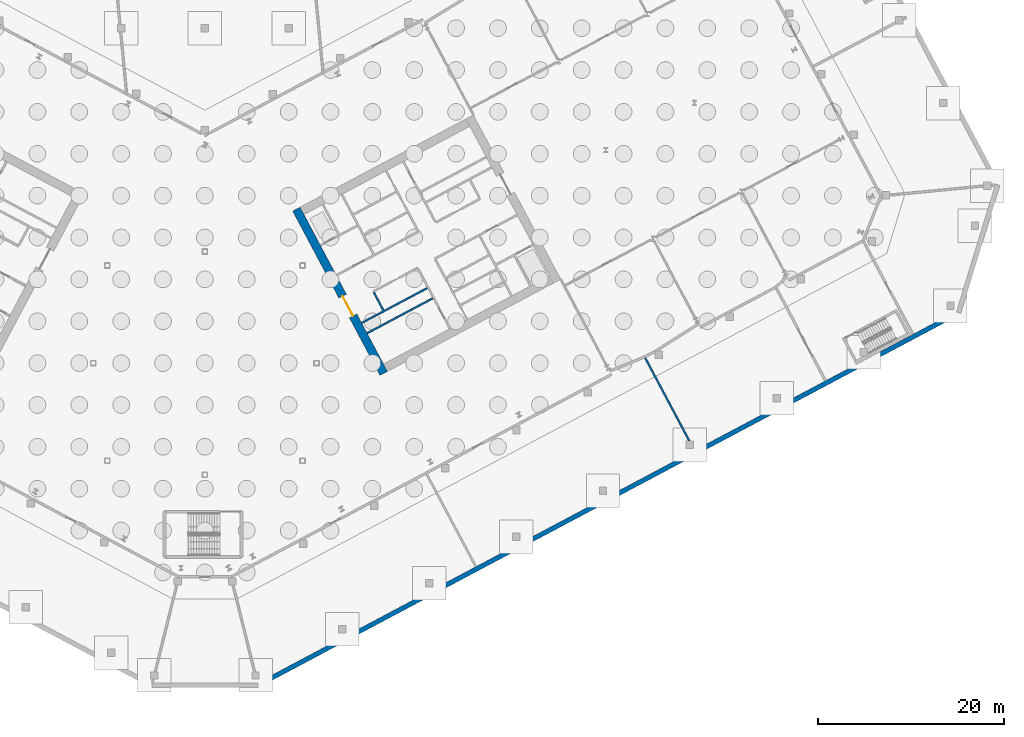
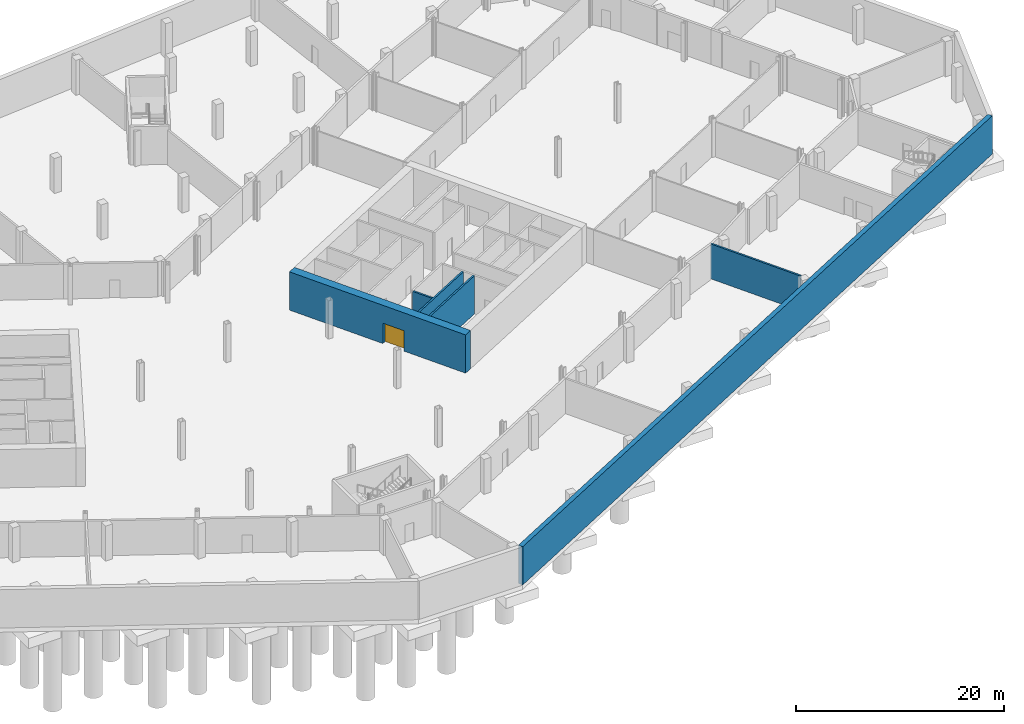
# One storey, part 13 of 29: 6 walls, 1 door, 1 opening.
"""IFC4 building model written with IfcOpenShell, lengths in metres."""

from ifc_helpers import new_model, si_unit, direction, frame, frame_2d, origin, place, context, subcontext, project, spatial, rectangle, extrude, material, layer, layer_set, type_object, element, fill, save


model = new_model("IFC4")

# Units and contexts
model_context = context("Model", 3, precision=1e-05, world=origin(), true_north=direction((0.0, 1.0)))
body_context = subcontext(model_context, "Body", "Model", "MODEL_VIEW")
ifc_project = project(units=[si_unit("LENGTHUNIT", "METRE"), si_unit("AREAUNIT", "SQUARE_METRE"), si_unit("VOLUMEUNIT", "CUBIC_METRE"), si_unit("PLANEANGLEUNIT", "RADIAN"), si_unit("MASSUNIT", "GRAM", prefix="KILO")], contexts=[model_context])

# Site, building, storey
site_placement = place(None, origin())
site = spatial("IfcSite", under=ifc_project, at=site_placement, CompositionType="ELEMENT")
building_placement = place(site_placement, origin())
building = spatial("IfcBuilding", under=site, at=building_placement, Name="Cormorant Relay Tower", CompositionType="ELEMENT")
storey_placement = place(building_placement, frame((0.0, 0.0, -9.0)))
storey = spatial("IfcBuildingStorey", under=building, at=storey_placement, Name="B2", CompositionType="ELEMENT", Elevation=-9.0)

# Walls
ifc_material_1 = material(Name="Concrete 50 MPa", Category="concrete")
ifc_layer_1 = layer(ifc_material_1, 0.199951171875)
ifc_layer_set_1 = layer_set([ifc_layer_1], Name="Core shaft wall 200")
wall_type_1 = type_object("IfcWallType", Name="Core shaft wall 200", PredefinedType="SHEAR", material=ifc_layer_set_1)
wall_1_placement = place(storey_placement, frame((19.18359375, 5.669921875, 0.0), z_axis=(0.0, 0.0, 1.0), x_axis=(-0.4694473164, 0.882960484464, 0.0)))
element("IfcWall", 1, at=wall_1_placement, inside=storey, type_object=wall_type_1, Name="B2 core B shaft wall", PredefinedType="SHEAR", context=body_context, shape_type="SweptSolid", body=[
    extrude(rectangle(XDim=2.199951171875, YDim=0.199951171875, at=frame_2d((1.10009765625, 0.0))), origin(), (0.0, 0.0, 1.0), 4.5),
])
for number, where, z_axis, x_axis, name in (
    (2, (17.43359375, 3.210205078125, 0.0), (0.0, 0.0, 1.0), (0.882940221191, 0.469485426614, 0.0), "B2 core B shaft wall"),
    (3, (16.8466796875, 4.31396484375, 0.0), (0.0, 0.0, 1.0), (0.882940221191, 0.469485426614, 0.0), "B2 core B shaft wall"),
):
    element("IfcWall", number, at=place(storey_placement, frame(where, z_axis=z_axis, x_axis=x_axis)), inside=storey, type_object=wall_type_1, Name=name, PredefinedType="SHEAR", context=body_context, shape_type="SweptSolid", body=[
        extrude(rectangle(XDim=8.0, YDim=0.199951171875, at=frame_2d((4.0, 0.0))), origin(), (0.0, 0.0, 1.0), 4.5),
    ])

# Wall, opening, door
ifc_material_2 = material(Name="Concrete 70 MPa", Category="concrete")
ifc_layer_2 = layer(ifc_material_2, 0.89990234375)
ifc_layer_set_2 = layer_set([ifc_layer_2], Name="Core wall 900")
wall_type_2 = type_object("IfcWallType", Name="Core wall 900", PredefinedType="SHEAR", material=ifc_layer_set_2)
wall_2_placement = place(storey_placement, frame((19.21923828125, -1.106689453125, 0.0), z_axis=(0.0, 0.0, 1.0), x_axis=(-0.46947084998, 0.882947971864, 0.0)))
wall_2 = element("IfcWall", 4, at=wall_2_placement, inside=storey, type_object=wall_type_2, Name="B2 core B wall", PredefinedType="SHEAR", context=body_context, shape_type="SweptSolid", body=[
    extrude(rectangle(XDim=20.0, YDim=0.89990234375, at=frame_2d((10.0, 0.0))), origin(), (0.0, 0.0, 1.0), 4.5),
])
opening_placement = place(wall_2_placement, frame((7.0, 0.0, 0.0)))
opening = element("IfcOpeningElement", 5, at=opening_placement, cuts=wall_2, Name="Opening CDA-003", PredefinedType="OPENING", context=body_context, shape_type="SweptSolid", body=[
    extrude(rectangle(XDim=2.39990234375, YDim=2.39990234375, at=frame_2d((1.199951171875, 1.199951171875))), frame((0.0, 0.4599609375, 0.0), z_axis=(0.0, -1.0, 0.0), x_axis=(1.0, 0.0, 0.0)), (0.0, 0.0, 1.0), 0.919921875),
])
ifc_material_3 = material(Name="Steel fire door", Category="steel")
door_type = type_object("IfcDoorType", Name="Core lobby door 2400x2400", OperationType="DOUBLE_DOOR_SINGLE_SWING", PredefinedType="DOOR", material=ifc_material_3)
door_placement = place(opening_placement, frame((2.39990234375, 0.0, 0.0), z_axis=(0.0, 0.0, 1.0), x_axis=(-1.0, 0.0, 0.0)))
door = element("IfcDoor", 6, at=door_placement, inside=storey, type_object=door_type, Name="Core lobby door 2400x2400", OperationType="DOUBLE_DOOR_SINGLE_SWING", OverallHeight=2.39990234375, OverallWidth=2.39990234375, PredefinedType="DOOR", context=body_context, shape_type="SweptSolid", body=[
    extrude(rectangle(XDim=2.39990234375, YDim=2.39990234375, at=frame_2d((1.199951171875, 1.199951171875))), frame((0.0, 0.02490234375, 0.0), z_axis=(0.0, -1.0, 0.0), x_axis=(1.0, 0.0, 0.0)), (0.0, 0.0, 1.0), 0.050048828125),
])
fill(opening, door)

# Walls
ifc_material_4 = material(Name="Concrete masonry 20 MPa", Category="masonry")
ifc_layer_3 = layer(ifc_material_4, 0.199951171875)
ifc_layer_set_3 = layer_set([ifc_layer_3], Name="Plant room wall 200")
wall_type_3 = type_object("IfcWallType", Name="Plant room wall 200", PredefinedType="PARTITIONING", material=ifc_layer_set_3)
wall_3_placement = place(storey_placement, frame((52.062744140625, -8.35302734375, 0.0), z_axis=(0.0, 0.0, 1.0), x_axis=(-0.469467926311, 0.882949526397, 0.0)))
element("IfcWall", 7, at=wall_3_placement, inside=storey, type_object=wall_type_3, Name="Partition", PredefinedType="PARTITIONING", context=body_context, shape_type="SweptSolid", body=[
    extrude(rectangle(XDim=10.21728515625, YDim=0.199951171875, at=frame_2d((5.108642578125, 0.0))), origin(), (0.0, 0.0, 1.0), 4.10009765625),
])
ifc_material_5 = material(Name="Concrete 40 MPa", Category="concrete")
ifc_layer_4 = layer(ifc_material_5, 0.5)
ifc_layer_set_4 = layer_set([ifc_layer_4], Name="Retaining wall 500")
wall_type_4 = type_object("IfcWallType", Name="Retaining wall 500", PredefinedType="SOLIDWALL", material=ifc_layer_set_4)
wall_4_placement = place(storey_placement, frame((5.703125, -34.62548828125, 0.0), z_axis=(0.0, 0.0, 1.0), x_axis=(0.882947521781, 0.469471696464, 0.0)))
element("IfcWall", 8, at=wall_4_placement, inside=storey, type_object=wall_type_4, Name="Retaining wall", PredefinedType="SOLIDWALL", context=body_context, shape_type="SweptSolid", body=[
    extrude(rectangle(XDim=85.294189453125, YDim=0.5, at=frame_2d((42.64697265625, 0.0))), origin(), (0.0, 0.0, 1.0), 4.5),
])

save(model, "model.ifc")
